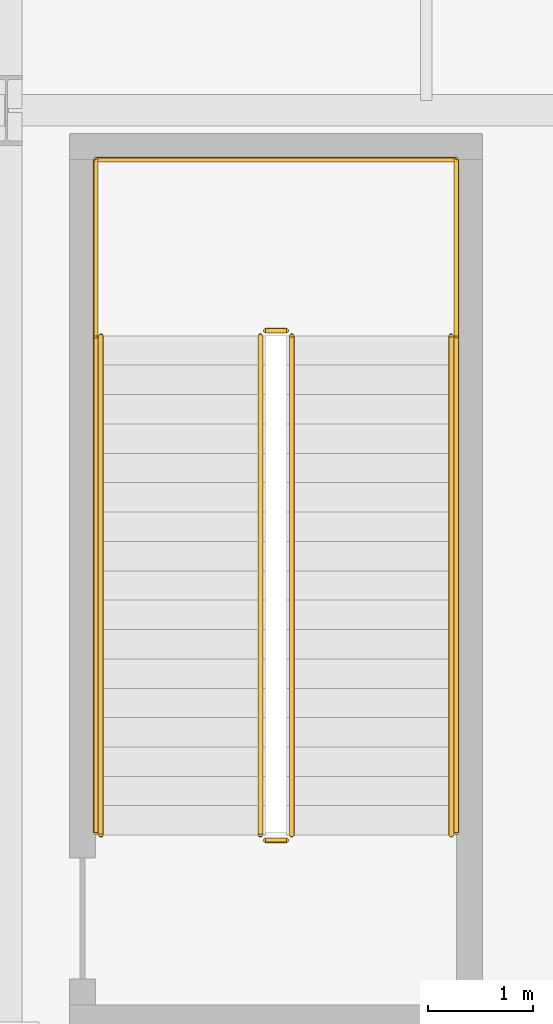
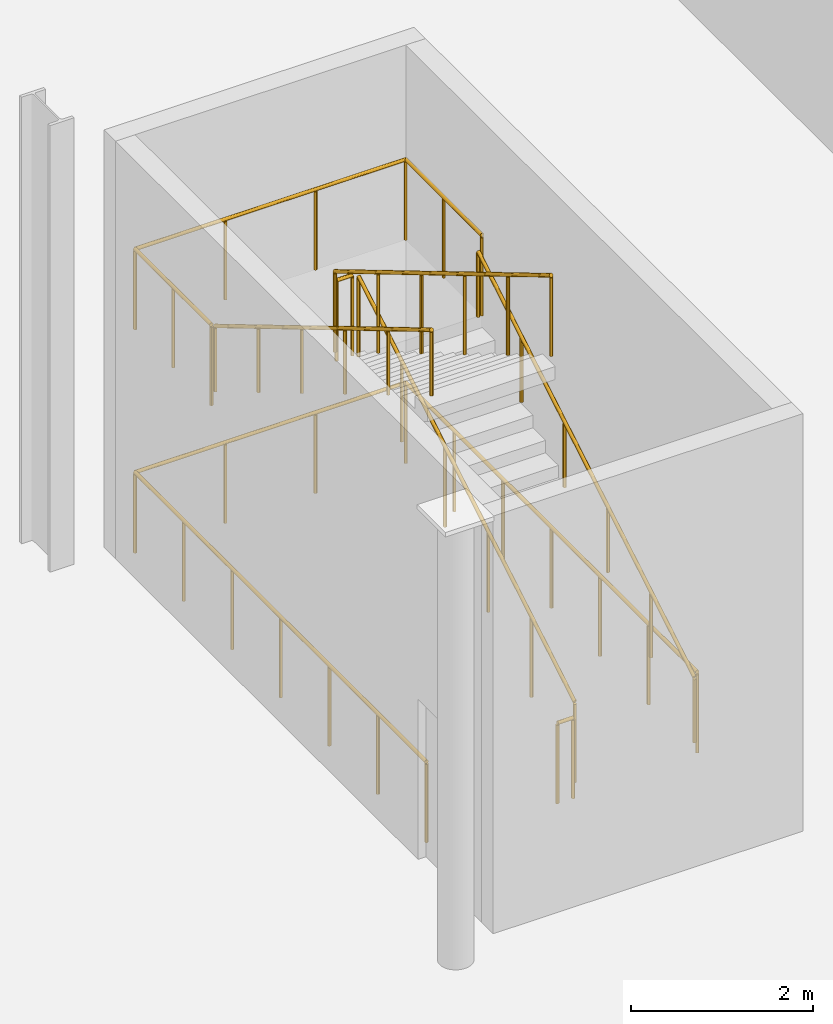
# One storey, part 225 of 237: 12 railings.
"""IFC4 building model written with IfcOpenShell, lengths in metres."""

from ifc_helpers import new_model, si_unit, direction, frame, origin, origin_2d, place, context, subcontext, project, spatial, circle, extrude, material, type_object, element, save


model = new_model("IFC4")

# Units and contexts
model_context = context("Model", 3, precision=1e-05, world=origin(), true_north=direction((0.0, 1.0)))
body_context = subcontext(model_context, "Body", "Model", "MODEL_VIEW")
ifc_project = project(units=[si_unit("LENGTHUNIT", "METRE"), si_unit("AREAUNIT", "SQUARE_METRE"), si_unit("VOLUMEUNIT", "CUBIC_METRE"), si_unit("PLANEANGLEUNIT", "RADIAN"), si_unit("MASSUNIT", "GRAM", prefix="KILO")], contexts=[model_context])

# Site, building, storey
site_placement = place(None, origin())
site = spatial("IfcSite", under=ifc_project, at=site_placement, CompositionType="ELEMENT")
building_placement = place(site_placement, origin())
building = spatial("IfcBuilding", under=site, at=building_placement, Name="Barlavento Convention Centre", CompositionType="ELEMENT")
storey_placement = place(building_placement, frame((0.0, 0.0, 12.0)))
storey = spatial("IfcBuildingStorey", under=building, at=storey_placement, Name="L02", CompositionType="ELEMENT", Elevation=12.0)

# Railings
ifc_material_1 = material(Name="Stainless steel and laminated glass balustrade", Category="steel")
railing_type_1 = type_object("IfcRailingType", Name="ARC-RAL-BAL-1100", PredefinedType="BALUSTRADE", material=ifc_material_1)
railing_1_placement = place(storey_placement, frame((182.719970703125, 11.090087890625, 0.166748046875)))
element("IfcRailing", 1, at=railing_1_placement, inside=storey, type_object=railing_type_1, Name="L02 ST14 stair guard 1", PredefinedType="BALUSTRADE", context=body_context, shape_type="SweptSolid", body=[
    extrude(circle(Radius=0.02392578125, at=origin_2d()), frame((0.0, 0.0, 1.076171875), z_axis=(0.0, 0.859299802514, 0.511472237174), x_axis=(-1.0, 0.0, 0.0)), (0.0, 0.0, 1.0), 5.539306640625),
    extrude(circle(Radius=0.02099609375, at=origin_2d()), origin(), (0.0, 0.0, 1.0), 1.052001953125),
    extrude(circle(Radius=0.02099609375, at=origin_2d()), frame((0.0, 0.951904296875, 0.566650390625)), (0.0, 0.0, 1.0), 1.052001953125),
    extrude(circle(Radius=0.02099609375, at=origin_2d()), frame((0.0, 1.904052734375, 1.13330078125)), (0.0, 0.0, 1.0), 1.052001953125),
    extrude(circle(Radius=0.02099609375, at=origin_2d()), frame((0.0, 2.85595703125, 1.699951171875)), (0.0, 0.0, 1.0), 1.052001953125),
    extrude(circle(Radius=0.02099609375, at=origin_2d()), frame((0.0, 3.80810546875, 2.2666015625)), (0.0, 0.0, 1.0), 1.052001953125),
    extrude(circle(Radius=0.02099609375, at=origin_2d()), frame((0.0, 4.760009765625, 2.833251953125)), (0.0, 0.0, 1.0), 1.052001953125),
])
railing_2_placement = place(storey_placement, frame((182.669921875, 15.89990234375, 3.0)))
element("IfcRailing", 2, at=railing_2_placement, inside=storey, type_object=railing_type_1, Name="L02 ST14 stair guard 2", PredefinedType="BALUSTRADE", context=body_context, shape_type="SweptSolid", body=[
    extrude(circle(Radius=0.02392578125, at=origin_2d()), frame((0.0, 0.0, 1.076171875), z_axis=(-1.0, 0.0, 0.0), x_axis=(0.0, -1.0, 0.0)), (0.0, 0.0, 1.0), 0.199951171875),
    extrude(circle(Radius=0.02099609375, at=origin_2d()), origin(), (0.0, 0.0, 1.0), 1.052001953125),
    extrude(circle(Radius=0.02099609375, at=origin_2d()), frame((-0.199951171875, 0.0, 0.0)), (0.0, 0.0, 1.0), 1.052001953125),
])
railing_3_placement = place(storey_placement, frame((182.419921875, 15.85009765625, 3.166748046875)))
element("IfcRailing", 3, at=railing_3_placement, inside=storey, type_object=railing_type_1, Name="L02 ST14 stair guard 3", PredefinedType="BALUSTRADE", context=body_context, shape_type="SweptSolid", body=[
    extrude(circle(Radius=0.02392578125, at=origin_2d()), frame((0.0, 0.0, 1.076171875), z_axis=(0.0, -0.859299802514, 0.511472237174), x_axis=(1.0, 0.0, 0.0)), (0.0, 0.0, 1.0), 5.539306640625),
    extrude(circle(Radius=0.02099609375, at=origin_2d()), origin(), (0.0, 0.0, 1.0), 1.052001953125),
    extrude(circle(Radius=0.02099609375, at=origin_2d()), frame((0.0, -0.951904296875, 0.566650390625)), (0.0, 0.0, 1.0), 1.052001953125),
    extrude(circle(Radius=0.02099609375, at=origin_2d()), frame((0.0, -1.904052734375, 1.13330078125)), (0.0, 0.0, 1.0), 1.052001953125),
    extrude(circle(Radius=0.02099609375, at=origin_2d()), frame((0.0, -2.85595703125, 1.699951171875)), (0.0, 0.0, 1.0), 1.052001953125),
    extrude(circle(Radius=0.02099609375, at=origin_2d()), frame((0.0, -3.80810546875, 2.2666015625)), (0.0, 0.0, 1.0), 1.052001953125),
    extrude(circle(Radius=0.02099609375, at=origin_2d()), frame((0.0, -4.760009765625, 2.833251953125)), (0.0, 0.0, 1.0), 1.052001953125),
])
railing_4_placement = place(storey_placement, frame((182.669921875, 11.0400390625, 0.0)))
element("IfcRailing", 4, at=railing_4_placement, inside=storey, type_object=railing_type_1, Name="L02 ST14 stair guard 4", PredefinedType="BALUSTRADE", context=body_context, shape_type="SweptSolid", body=[
    extrude(circle(Radius=0.02392578125, at=origin_2d()), frame((0.0, 0.0, 1.076171875), z_axis=(-1.0, 0.0, 0.0), x_axis=(0.0, -1.0, 0.0)), (0.0, 0.0, 1.0), 0.199951171875),
    extrude(circle(Radius=0.02099609375, at=origin_2d()), origin(), (0.0, 0.0, 1.0), 1.052001953125),
    extrude(circle(Radius=0.02099609375, at=origin_2d()), frame((-0.199951171875, 0.0, 0.0)), (0.0, 0.0, 1.0), 1.052001953125),
])
for number, where, name in (
    (5, (184.2900390625, 15.85009765625, 3.0), "L02 landing guard GR01"),
    (6, (180.85009765625, 15.85009765625, 3.0), "L02 landing guard GR01"),
):
    element("IfcRailing", number, at=place(storey_placement, frame(where)), inside=storey, type_object=railing_type_1, Name=name, PredefinedType="BALUSTRADE", context=body_context, shape_type="SweptSolid", body=[
        extrude(circle(Radius=0.02392578125, at=origin_2d()), frame((0.0, 0.0, 1.076171875), z_axis=(0.0, 1.0, 0.0), x_axis=(-1.0, 0.0, 0.0)), (0.0, 0.0, 1.0), 1.679931640625),
        extrude(circle(Radius=0.02099609375, at=origin_2d()), origin(), (0.0, 0.0, 1.0), 1.052001953125),
        extrude(circle(Radius=0.02099609375, at=origin_2d()), frame((0.0, 0.83984375, 0.0)), (0.0, 0.0, 1.0), 1.052001953125),
        extrude(circle(Radius=0.02099609375, at=origin_2d()), frame((0.0, 1.679931640625, 0.0)), (0.0, 0.0, 1.0), 1.052001953125),
    ])
railing_5_placement = place(storey_placement, frame((184.2900390625, 17.530029296875, 3.0)))
element("IfcRailing", 7, at=railing_5_placement, inside=storey, type_object=railing_type_1, Name="L02 landing guard GR01", PredefinedType="BALUSTRADE", context=body_context, shape_type="SweptSolid", body=[
    extrude(circle(Radius=0.02392578125, at=origin_2d()), frame((0.0, 0.0, 1.076171875), z_axis=(-1.0, 0.0, 0.0), x_axis=(0.0, -1.0, 0.0)), (0.0, 0.0, 1.0), 3.43994140625),
    extrude(circle(Radius=0.02099609375, at=origin_2d()), origin(), (0.0, 0.0, 1.0), 1.052001953125),
    extrude(circle(Radius=0.02099609375, at=origin_2d()), frame((-1.146728515625, 0.0, 0.0)), (0.0, 0.0, 1.0), 1.052001953125),
    extrude(circle(Radius=0.02099609375, at=origin_2d()), frame((-2.293212890625, 0.0, 0.0)), (0.0, 0.0, 1.0), 1.052001953125),
    extrude(circle(Radius=0.02099609375, at=origin_2d()), frame((-3.43994140625, 0.0, 0.0)), (0.0, 0.0, 1.0), 1.052001953125),
])
railing_6_placement = place(storey_placement, frame((184.2900390625, 11.114990234375, 0.0)))
element("IfcRailing", 8, at=railing_6_placement, inside=storey, type_object=railing_type_1, Name="L02 stairwell perimeter guard GR01", PredefinedType="BALUSTRADE", context=body_context, shape_type="SweptSolid", body=[
    extrude(circle(Radius=0.02392578125, at=origin_2d()), frame((0.0, 0.0, 1.076171875), z_axis=(0.0, 1.0, 0.0), x_axis=(-1.0, 0.0, 0.0)), (0.0, 0.0, 1.0), 6.4150390625),
    extrude(circle(Radius=0.02099609375, at=origin_2d()), origin(), (0.0, 0.0, 1.0), 1.052001953125),
    extrude(circle(Radius=0.02099609375, at=origin_2d()), frame((0.0, 1.069091796875, 0.0)), (0.0, 0.0, 1.0), 1.052001953125),
    extrude(circle(Radius=0.02099609375, at=origin_2d()), frame((0.0, 2.138427734375, 0.0)), (0.0, 0.0, 1.0), 1.052001953125),
    extrude(circle(Radius=0.02099609375, at=origin_2d()), frame((0.0, 3.20751953125, 0.0)), (0.0, 0.0, 1.0), 1.052001953125),
    extrude(circle(Radius=0.02099609375, at=origin_2d()), frame((0.0, 4.276611328125, 0.0)), (0.0, 0.0, 1.0), 1.052001953125),
    extrude(circle(Radius=0.02099609375, at=origin_2d()), frame((0.0, 5.345947265625, 0.0)), (0.0, 0.0, 1.0), 1.052001953125),
    extrude(circle(Radius=0.02099609375, at=origin_2d()), frame((0.0, 6.4150390625, 0.0)), (0.0, 0.0, 1.0), 1.052001953125),
])
railing_7_placement = place(storey_placement, frame((184.2900390625, 17.530029296875, 0.0)))
element("IfcRailing", 9, at=railing_7_placement, inside=storey, type_object=railing_type_1, Name="L02 stairwell perimeter guard GR01", PredefinedType="BALUSTRADE", context=body_context, shape_type="SweptSolid", body=[
    extrude(circle(Radius=0.02392578125, at=origin_2d()), frame((0.0, 0.0, 1.076171875), z_axis=(-1.0, 0.0, 0.0), x_axis=(0.0, -1.0, 0.0)), (0.0, 0.0, 1.0), 3.43994140625),
    extrude(circle(Radius=0.02099609375, at=origin_2d()), origin(), (0.0, 0.0, 1.0), 1.052001953125),
    extrude(circle(Radius=0.02099609375, at=origin_2d()), frame((-1.146728515625, 0.0, 0.0)), (0.0, 0.0, 1.0), 1.052001953125),
    extrude(circle(Radius=0.02099609375, at=origin_2d()), frame((-2.293212890625, 0.0, 0.0)), (0.0, 0.0, 1.0), 1.052001953125),
    extrude(circle(Radius=0.02099609375, at=origin_2d()), frame((-3.43994140625, 0.0, 0.0)), (0.0, 0.0, 1.0), 1.052001953125),
])
railing_8_placement = place(storey_placement, frame((180.85009765625, 17.530029296875, 0.0)))
element("IfcRailing", 10, at=railing_8_placement, inside=storey, type_object=railing_type_1, Name="L02 stairwell perimeter guard GR01", PredefinedType="BALUSTRADE", context=body_context, shape_type="SweptSolid", body=[
    extrude(circle(Radius=0.02392578125, at=origin_2d()), frame((0.0, 0.0, 1.076171875), z_axis=(0.0, -1.0, 0.0), x_axis=(1.0, 0.0, 0.0)), (0.0, 0.0, 1.0), 6.4150390625),
    extrude(circle(Radius=0.02099609375, at=origin_2d()), origin(), (0.0, 0.0, 1.0), 1.052001953125),
    extrude(circle(Radius=0.02099609375, at=origin_2d()), frame((0.0, -1.069091796875, 0.0)), (0.0, 0.0, 1.0), 1.052001953125),
    extrude(circle(Radius=0.02099609375, at=origin_2d()), frame((0.0, -2.138427734375, 0.0)), (0.0, 0.0, 1.0), 1.052001953125),
    extrude(circle(Radius=0.02099609375, at=origin_2d()), frame((0.0, -3.20751953125, 0.0)), (0.0, 0.0, 1.0), 1.052001953125),
    extrude(circle(Radius=0.02099609375, at=origin_2d()), frame((0.0, -4.276611328125, 0.0)), (0.0, 0.0, 1.0), 1.052001953125),
    extrude(circle(Radius=0.02099609375, at=origin_2d()), frame((0.0, -5.345947265625, 0.0)), (0.0, 0.0, 1.0), 1.052001953125),
    extrude(circle(Radius=0.02099609375, at=origin_2d()), frame((0.0, -6.4150390625, 0.0)), (0.0, 0.0, 1.0), 1.052001953125),
])
ifc_material_2 = material(Name="Brushed stainless steel tubular handrail", Category="steel")
railing_type_2 = type_object("IfcRailingType", Name="ARC-RAL-HR-900", PredefinedType="HANDRAIL", material=ifc_material_2)
railing_9_placement = place(storey_placement, frame((184.239990234375, 11.090087890625, 0.166748046875)))
element("IfcRailing", 11, at=railing_9_placement, inside=storey, type_object=railing_type_2, Name="L02 ST14 stair handrail 1", PredefinedType="HANDRAIL", context=body_context, shape_type="SweptSolid", body=[
    extrude(circle(Radius=0.02392578125, at=origin_2d()), frame((0.0, 0.0, 0.8759765625), z_axis=(0.0, 0.859299802514, 0.511472237174), x_axis=(-1.0, 0.0, 0.0)), (0.0, 0.0, 1.0), 5.539306640625),
    extrude(circle(Radius=0.02099609375, at=origin_2d()), origin(), (0.0, 0.0, 1.0), 0.851806640625),
    extrude(circle(Radius=0.02099609375, at=origin_2d()), frame((0.0, 0.951904296875, 0.566650390625)), (0.0, 0.0, 1.0), 0.851806640625),
    extrude(circle(Radius=0.02099609375, at=origin_2d()), frame((0.0, 1.904052734375, 1.13330078125)), (0.0, 0.0, 1.0), 0.851806640625),
    extrude(circle(Radius=0.02099609375, at=origin_2d()), frame((0.0, 2.85595703125, 1.699951171875)), (0.0, 0.0, 1.0), 0.851806640625),
    extrude(circle(Radius=0.02099609375, at=origin_2d()), frame((0.0, 3.80810546875, 2.2666015625)), (0.0, 0.0, 1.0), 0.851806640625),
    extrude(circle(Radius=0.02099609375, at=origin_2d()), frame((0.0, 4.760009765625, 2.833251953125)), (0.0, 0.0, 1.0), 0.851806640625),
])
railing_10_placement = place(storey_placement, frame((180.89990234375, 15.85009765625, 3.166748046875)))
element("IfcRailing", 12, at=railing_10_placement, inside=storey, type_object=railing_type_2, Name="L02 ST14 stair handrail 2", PredefinedType="HANDRAIL", context=body_context, shape_type="SweptSolid", body=[
    extrude(circle(Radius=0.02392578125, at=origin_2d()), frame((0.0, 0.0, 0.8759765625), z_axis=(0.0, -0.859299802514, 0.511472237174), x_axis=(1.0, 0.0, 0.0)), (0.0, 0.0, 1.0), 5.539306640625),
    extrude(circle(Radius=0.02099609375, at=origin_2d()), origin(), (0.0, 0.0, 1.0), 0.851806640625),
    extrude(circle(Radius=0.02099609375, at=origin_2d()), frame((0.0, -0.951904296875, 0.566650390625)), (0.0, 0.0, 1.0), 0.851806640625),
    extrude(circle(Radius=0.02099609375, at=origin_2d()), frame((0.0, -1.904052734375, 1.13330078125)), (0.0, 0.0, 1.0), 0.851806640625),
    extrude(circle(Radius=0.02099609375, at=origin_2d()), frame((0.0, -2.85595703125, 1.699951171875)), (0.0, 0.0, 1.0), 0.851806640625),
    extrude(circle(Radius=0.02099609375, at=origin_2d()), frame((0.0, -3.80810546875, 2.2666015625)), (0.0, 0.0, 1.0), 0.851806640625),
    extrude(circle(Radius=0.02099609375, at=origin_2d()), frame((0.0, -4.760009765625, 2.833251953125)), (0.0, 0.0, 1.0), 0.851806640625),
])

save(model, "model.ifc")
